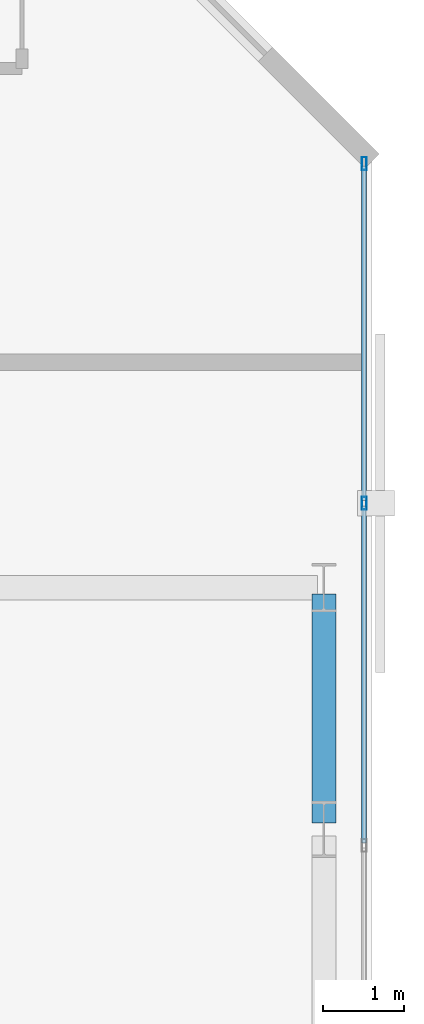
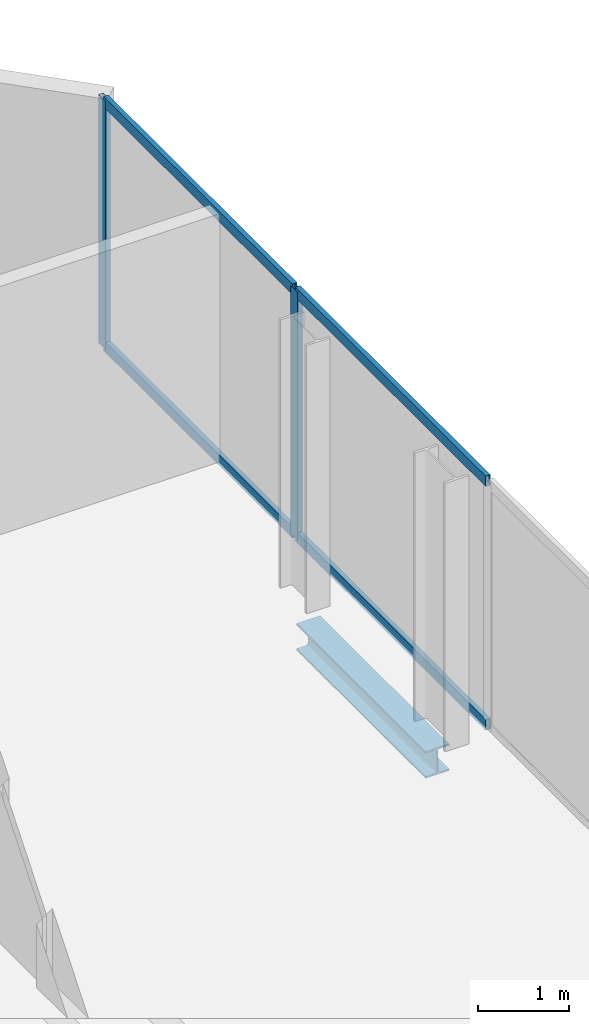
# One storey, part 26 of 32: 6 members, 1 beam, 1 element without a shape of its own.
"""IFC4 building model written with IfcOpenShell, lengths in metres."""

from ifc_helpers import new_model, si_unit, direction, frame, origin, origin_2d, place, context, subcontext, project, spatial, hollow_rectangle, i_section, extrude, material, layer, layer_set, material_profile, profile_set, type_object, element, aggregate, save


model = new_model("IFC4")

# Units and contexts
model_context = context("Model", 3, precision=1e-05, world=origin(), true_north=direction((0.0, 1.0)))
body_context = subcontext(model_context, "Body", "Model", "MODEL_VIEW")
ifc_project = project(units=[si_unit("LENGTHUNIT", "METRE"), si_unit("AREAUNIT", "SQUARE_METRE"), si_unit("VOLUMEUNIT", "CUBIC_METRE"), si_unit("PLANEANGLEUNIT", "RADIAN"), si_unit("MASSUNIT", "GRAM", prefix="KILO")], contexts=[model_context])

# Site, building, storey
site_placement = place(None, origin())
site = spatial("IfcSite", under=ifc_project, at=site_placement, CompositionType="ELEMENT")
building_placement = place(site_placement, origin())
building = spatial("IfcBuilding", under=site, at=building_placement, Name="Catumbela Crestline Tower", CompositionType="ELEMENT")
storey_placement = place(building_placement, frame((0.0, 0.0, 126.0)))
storey = spatial("IfcBuildingStorey", under=building, at=storey_placement, Name="L32", CompositionType="ELEMENT", Elevation=126.0)

# Curtain wall, members
ifc_material_1 = material(Name="Aluminium alloy AW-6060-T66", Category="aluminium")
ifc_layer = layer(ifc_material_1, 0.18, Name="Aluminium alloy AW-6060-T66")
ifc_layer_set = layer_set([ifc_layer], Name="Aluminium alloy AW-6060-T66")
curtain_wall_type = type_object("IfcCurtainWallType", Name="CWU-Z2", PredefinedType="USERDEFINED", material=ifc_layer_set)
curtain_wall_placement = place(storey_placement, origin())
curtain_wall = element("IfcCurtainWall", 1, at=curtain_wall_placement, inside=storey, type_object=curtain_wall_type, Name="L32 Unitised Curtain Wall CW-L32-E5S1", ObjectType="UNITISED", PredefinedType="USERDEFINED")
ifc_material_profile_1 = material_profile(ifc_material_1, hollow_rectangle(XDim=0.06, YDim=0.16, WallThickness=0.004, at=origin_2d()), Name="ALU 160x60x4")
ifc_profile_set_1 = profile_set([ifc_material_profile_1], Name="Aluminium alloy AW-6060-T66")
member_type_1 = type_object("IfcMemberType", Name="MUL-160X60", PredefinedType="MULLION", material=ifc_profile_set_1)
member_1_placement = place(storey_placement, frame((50.9, 40.25, 0.0), z_axis=(0.0, 0.0, 1.0), x_axis=(-1.0, 0.0, 0.0)))
member_1 = element("IfcMember", 2, at=member_1_placement, type_object=member_type_1, Name="CWU-Z2 mullion 4", PredefinedType="MULLION", context=body_context, shape_type="SweptSolid", body=[
    extrude(hollow_rectangle(XDim=0.06, YDim=0.16, WallThickness=0.004, at=origin_2d()), origin(), (0.0, 0.0, 1.0), 3.33),
])
member_2_placement = place(storey_placement, frame((50.9, 44.4675, 0.0), z_axis=(0.0, 0.0, 1.0), x_axis=(-1.0, 0.0, 0.0)))
member_2 = element("IfcMember", 3, at=member_2_placement, type_object=member_type_1, Name="CWU-Z2 mullion 5", PredefinedType="MULLION", context=body_context, shape_type="SweptSolid", body=[
    extrude(hollow_rectangle(XDim=0.06, YDim=0.16, WallThickness=0.004, at=origin_2d()), origin(), (0.0, 0.0, 1.0), 3.33),
])

# Beam
ifc_material_2 = material(Name="Structural steel S355J2", Category="steel")
ifc_material_profile_2 = material_profile(ifc_material_2, i_section(OverallWidth=0.3, OverallDepth=0.36, WebThickness=0.0125, FlangeThickness=0.0225, FilletRadius=0.027, at=origin_2d()), Name="HEB 360")
ifc_profile_set_2 = profile_set([ifc_material_profile_2], Name="Structural steel S355J2")
beam_type = type_object("IfcBeamType", Name="BS-HEB360", PredefinedType="SPANDREL", material=ifc_profile_set_2)
beam_placement = place(storey_placement, frame((50.4, 36.28, -0.44), z_axis=(0.0, 1.0, 0.0), x_axis=(-1.0, 0.0, 0.0)))
element("IfcBeam", 4, at=beam_placement, inside=storey, type_object=beam_type, Name="L32 Spandrel SP-L32-SN36", PredefinedType="SPANDREL", context=body_context, shape_type="SweptSolid", body=[
    extrude(i_section(OverallWidth=0.3, OverallDepth=0.36, WebThickness=0.0125, FlangeThickness=0.0225, FilletRadius=0.027, at=origin_2d()), origin(), (0.0, 0.0, 1.0), 2.84),
])

# Member
ifc_material_profile_3 = material_profile(ifc_material_1, hollow_rectangle(XDim=0.06, YDim=0.14, WallThickness=0.004, at=origin_2d()), Name="ALU 140x60x4")
ifc_profile_set_3 = profile_set([ifc_material_profile_3], Name="Aluminium alloy AW-6060-T66")
member_type_2 = type_object("IfcMemberType", Name="TRN-140X60", PredefinedType="USERDEFINED", material=ifc_profile_set_3)
member_3_placement = place(storey_placement, frame((50.9, 36.0325, 0.03), z_axis=(0.0, 1.0, 0.0), x_axis=(-1.0, 0.0, 0.0)))
member_3 = element("IfcMember", 5, at=member_3_placement, type_object=member_type_2, Name="CWU-Z2 transom 3.1", ObjectType="TRANSOM", PredefinedType="USERDEFINED", context=body_context, shape_type="SweptSolid", body=[
    extrude(hollow_rectangle(XDim=0.06, YDim=0.14, WallThickness=0.004, at=origin_2d()), origin(), (0.0, 0.0, 1.0), 4.185),
])

member_4_placement = place(storey_placement, frame((50.9, 36.0325, 3.3), z_axis=(0.0, 1.0, 0.0), x_axis=(-1.0, 0.0, 0.0)))
member_4 = element("IfcMember", 6, at=member_4_placement, type_object=member_type_2, Name="CWU-Z2 transom 3.2", ObjectType="TRANSOM", PredefinedType="USERDEFINED", context=body_context, shape_type="SweptSolid", body=[
    extrude(hollow_rectangle(XDim=0.06, YDim=0.14, WallThickness=0.004, at=origin_2d()), origin(), (0.0, 0.0, 1.0), 4.185),
])

member_5_placement = place(storey_placement, frame((50.9, 40.2825, 0.03), z_axis=(0.0, 1.0, 0.0), x_axis=(-1.0, 0.0, 0.0)))
member_5 = element("IfcMember", 7, at=member_5_placement, type_object=member_type_2, Name="CWU-Z2 transom 4.1", ObjectType="TRANSOM", PredefinedType="USERDEFINED", context=body_context, shape_type="SweptSolid", body=[
    extrude(hollow_rectangle(XDim=0.06, YDim=0.14, WallThickness=0.004, at=origin_2d()), origin(), (0.0, 0.0, 1.0), 4.1525),
])

member_6_placement = place(storey_placement, frame((50.9, 40.2825, 3.3), z_axis=(0.0, 1.0, 0.0), x_axis=(-1.0, 0.0, 0.0)))
member_6 = element("IfcMember", 8, at=member_6_placement, type_object=member_type_2, Name="CWU-Z2 transom 4.2", ObjectType="TRANSOM", PredefinedType="USERDEFINED", context=body_context, shape_type="SweptSolid", body=[
    extrude(hollow_rectangle(XDim=0.06, YDim=0.14, WallThickness=0.004, at=origin_2d()), origin(), (0.0, 0.0, 1.0), 4.1525),
])

aggregate(curtain_wall, [member_1, member_2, member_3, member_4, member_5, member_6])

save(model, "model.ifc")
